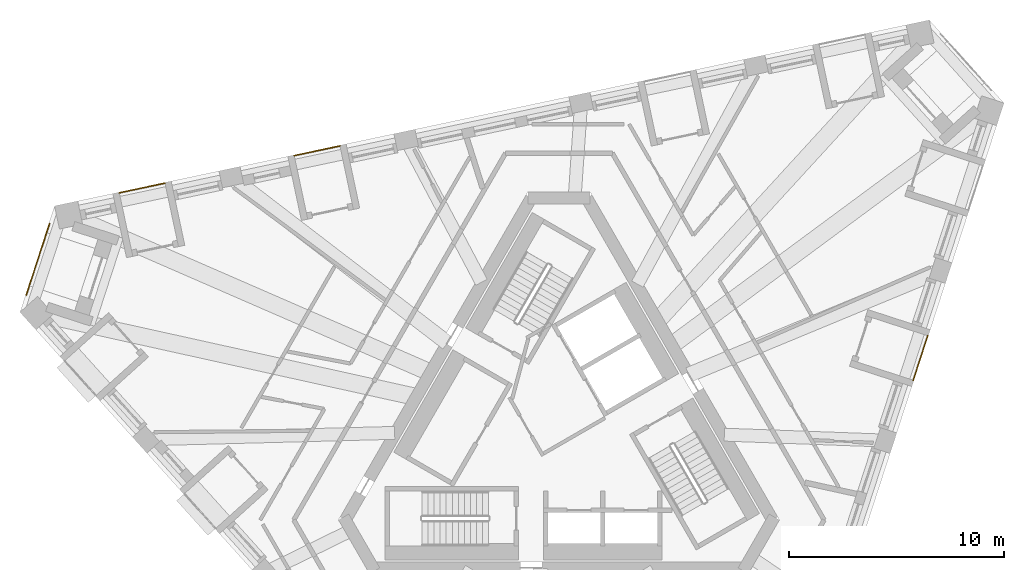
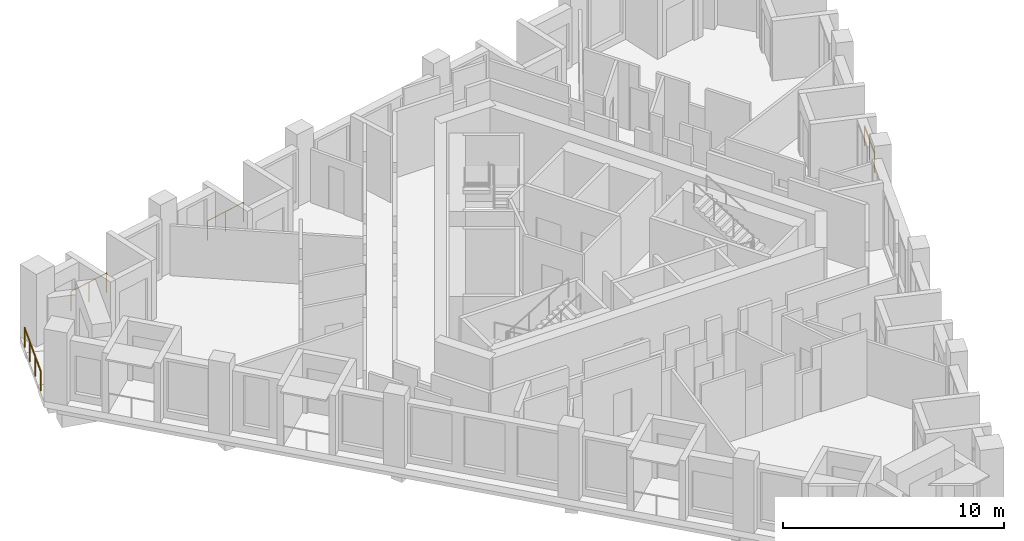
# One storey, part 12 of 13: 4 railings.
"""IFC4 building model written with IfcOpenShell, lengths in metres."""

import ifcopenshell
import ifcopenshell.guid

model = None  # the IFC model being written
_history = None  # IfcOwnerHistory: only IFC2X3 demands one
_inside = {}  # id of a spatial element -> (the spatial element, [elements in it])
_under = {}  # id of a project, library or spatial element -> (it, [spatial elements below it])
_declared = {}  # id of a project -> (the project, [libraries it declares])
_typed = {}  # id of a type object -> (the type object, [elements of that type])
_made_of = {}  # id of a material, layer set ... -> (it, [elements and type objects made of it])


def new_model(schema):
    """Start an empty IFC model of exactly this schema.

    Asked for "IFC4X3", IfcOpenShell would pick the latest addendum, in which some entities
    have other attributes; the version numbers below select the first issue.
    IFC2X3 requires an IfcOwnerHistory on every rooted entity: one is made here for all.
    """
    global model, _history
    if schema == "IFC4X3":
        model = ifcopenshell.file(schema_version=(4, 3, 0, 0))
    else:
        model = ifcopenshell.file(schema=schema)
    _inside.clear()
    _under.clear()
    _declared.clear()
    _typed.clear()
    _made_of.clear()
    _history = None
    if model.schema == "IFC2X3":
        org = make("IfcOrganization", Name="unknown")
        user = make(
            "IfcPersonAndOrganization",
            ThePerson=make("IfcPerson", FamilyName="unknown"),
            TheOrganization=org,
        )
        app = make(
            "IfcApplication",
            ApplicationDeveloper=org,
            Version="unknown",
            ApplicationFullName="unknown",
            ApplicationIdentifier="unknown",
        )
        _history = make(
            "IfcOwnerHistory",
            OwningUser=user,
            OwningApplication=app,
            ChangeAction="ADDED",
            CreationDate=0,
        )
    return model


def make(cls, **values):
    """One entity of the class cls with the attributes given. An attribute that is None is left unset."""
    return model.create_entity(
        cls, **{name: value for name, value in values.items() if value is not None}
    )


def rooted(cls, **values):
    """An entity with a GlobalId (a new one), such as an element, a storey or a relation."""
    return make(cls, GlobalId=ifcopenshell.guid.new(), OwnerHistory=_history, **values)


def si_unit(unit_type, name, prefix=None):
    """IfcSIUnit, for example si_unit("LENGTHUNIT", "METRE", prefix="MILLI")."""
    return make("IfcSIUnit", UnitType=unit_type, Prefix=prefix, Name=name)


def assignment(units):
    """IfcUnitAssignment: the units of a project."""
    return None if units is None else make("IfcUnitAssignment", Units=units)


def point(xyz):
    """IfcCartesianPoint."""
    return None if xyz is None else make("IfcCartesianPoint", Coordinates=xyz)


def direction(xyz):
    """IfcDirection."""
    return None if xyz is None else make("IfcDirection", DirectionRatios=xyz)


def frame(location, z_axis=None, x_axis=None):
    """IfcAxis2Placement3D, a coordinate frame: its origin and axes. An axis left out is left unset."""
    return make(
        "IfcAxis2Placement3D",
        Location=point(location),
        Axis=direction(z_axis),
        RefDirection=direction(x_axis),
    )


def frame_2d(location, x_axis=None):
    """IfcAxis2Placement2D, a coordinate frame in the plane: its origin and x axis."""
    return make(
        "IfcAxis2Placement2D", Location=point(location), RefDirection=direction(x_axis)
    )


def origin():
    """The frame at (0, 0, 0) with its axes left unset."""
    return frame((0.0, 0.0, 0.0))


def origin_2d():
    """The frame at (0, 0) in the plane with its x axis left unset."""
    return frame_2d((0.0, 0.0))


def place(relative_to, where):
    """IfcLocalPlacement: puts the frame where relative to a parent placement (None: the world)."""
    return make(
        "IfcLocalPlacement", PlacementRelTo=relative_to, RelativePlacement=where
    )


def context(
    kind, dimensions, precision=None, world=None, true_north=None, identifier=None
):
    """IfcGeometricRepresentationContext, for example the 3D "Model" context."""
    return make(
        "IfcGeometricRepresentationContext",
        ContextIdentifier=identifier,
        ContextType=kind,
        CoordinateSpaceDimension=dimensions,
        Precision=precision,
        WorldCoordinateSystem=world,
        TrueNorth=true_north,
    )


def subcontext(parent, identifier, kind, view, scale=None):
    """IfcGeometricRepresentationSubContext, for example "Body" below "Model"."""
    return make(
        "IfcGeometricRepresentationSubContext",
        ContextIdentifier=identifier,
        ContextType=kind,
        ParentContext=parent,
        TargetScale=scale,
        TargetView=view,
    )


def project(units=None, contexts=None):
    """IfcProject with its units and contexts."""
    return rooted(
        "IfcProject",
        Name="project",
        RepresentationContexts=contexts,
        UnitsInContext=assignment(units),
    )


def spatial(cls, under=None, at=None, **own):
    """A site, building, storey or space (cls), placed at a placement, below another one or the project."""
    s = rooted(cls, ObjectPlacement=at, **own)
    if under is not None:
        _under.setdefault(under.id(), (under, []))[1].append(s)
    return s


def profile(cls, at=None, kind="AREA", **sizes):
    """A parametric profile (cls). Its sizes go by their IFC names, for example OverallWidth=200.0."""
    return make(cls, ProfileType=kind, Position=at, **sizes)


def circle(**sizes):
    """IfcCircleProfileDef."""
    return profile("IfcCircleProfileDef", **sizes)


def extrude(swept, where, along, depth):
    """IfcExtrudedAreaSolid: the profile swept, set in the frame where, extruded along a direction by depth."""
    return make(
        "IfcExtrudedAreaSolid",
        SweptArea=swept,
        Position=where,
        ExtrudedDirection=direction(along),
        Depth=depth,
    )


def shape(context_of_items, identifier, shape_type, items):
    """IfcShapeRepresentation: the items that make up one representation, for example the "Body"."""
    return make(
        "IfcShapeRepresentation",
        ContextOfItems=context_of_items,
        RepresentationIdentifier=identifier,
        RepresentationType=shape_type,
        Items=items,
    )


def material(Name=None, Category=None):
    """IfcMaterial."""
    return make("IfcMaterial", Name=Name, Category=Category)


def made_of(thing, what):
    """Note that an element or type object is made of a material, layer set ...; save() writes the relation."""
    if what is not None:
        _made_of.setdefault(what.id(), (what, []))[1].append(thing)
    return thing


def type_object(cls, material=None, **own):
    """A type object (cls), such as IfcWallType, which elements share."""
    return made_of(rooted(cls, **own), material)


def element(
    cls,
    number,
    at=None,
    inside=None,
    cuts=None,
    type_object=None,
    material=None,
    context=None,
    identifier="Body",
    shape_type=None,
    held_by="IfcProductDefinitionShape",
    body=None,
    shapes=None,
    **own,
):
    """One element of the class cls, such as IfcWall. Its Tag is "e" and its number.

    at: its placement. inside: the storey or other place that contains it. cuts: it is an
    opening in that element (IfcRelVoidsElement). A single representation is given by context,
    identifier, shape_type and body (its items); several are given by shapes. held_by: the class
    of the entity that holds the representations. save() writes the other relations.
    """
    e = rooted(cls, Tag="e%d" % number, ObjectPlacement=at, **own)
    if body is not None:
        shapes = [shape(context, identifier, shape_type, body)]
    if shapes is not None:
        e.Representation = make(held_by, Representations=shapes)
    if inside is not None:
        _inside.setdefault(inside.id(), (inside, []))[1].append(e)
    if cuts is not None:
        rooted(
            "IfcRelVoidsElement", RelatingBuildingElement=cuts, RelatedOpeningElement=e
        )
    if type_object is not None:
        _typed.setdefault(type_object.id(), (type_object, []))[1].append(e)
    return made_of(e, material)


def aggregate(whole, parts):
    """IfcRelAggregates: a whole, such as a stair, and the parts it consists of."""
    return rooted("IfcRelAggregates", RelatingObject=whole, RelatedObjects=parts)


def save(model, path):
    """Write the relations noted so far, then the file.

    IfcRelAggregates (storeys below a building ...), IfcRelContainedInSpatialStructure (elements
    in a storey), IfcRelDefinesByType, IfcRelAssociatesMaterial and IfcRelDeclares: one each for
    every whole, place, type object, material and project.
    """
    for whole, parts in _under.values():
        aggregate(whole, parts)
    for where, things in _inside.values():
        rooted(
            "IfcRelContainedInSpatialStructure",
            RelatedElements=things,
            RelatingStructure=where,
        )
    for kind, things in _typed.values():
        rooted("IfcRelDefinesByType", RelatedObjects=things, RelatingType=kind)
    for what, things in _made_of.values():
        rooted("IfcRelAssociatesMaterial", RelatedObjects=things, RelatingMaterial=what)
    for by, libraries in _declared.values():
        rooted("IfcRelDeclares", RelatingContext=by, RelatedDefinitions=libraries)
    model.write(path)


model = new_model("IFC4")

# Units and contexts
model_context = context("Model", 3, precision=1e-05, world=origin(), true_north=direction((0.0, 1.0)))
body_context = subcontext(model_context, "Body", "Model", "MODEL_VIEW")
ifc_project = project(units=[si_unit("LENGTHUNIT", "METRE"), si_unit("AREAUNIT", "SQUARE_METRE"), si_unit("VOLUMEUNIT", "CUBIC_METRE"), si_unit("PLANEANGLEUNIT", "RADIAN"), si_unit("MASSUNIT", "GRAM", prefix="KILO")], contexts=[model_context])

# Site, building, storey
site_placement = place(None, origin())
site = spatial("IfcSite", under=ifc_project, at=site_placement, CompositionType="ELEMENT")
building_placement = place(site_placement, origin())
building = spatial("IfcBuilding", under=site, at=building_placement, Name="Tramontana Tower", CompositionType="ELEMENT")
storey_placement = place(building_placement, frame((0.0, 0.0, 324.39990234375)))
storey = spatial("IfcBuildingStorey", under=building, at=storey_placement, Name="L74", CompositionType="ELEMENT", Elevation=324.39990234375)

# Railings
ifc_material = material(Name="Laminated glass balustrade", Category="glass")
railing_type = type_object("IfcRailingType", Name="GD1 Loggia glass balustrade 1100", PredefinedType="BALUSTRADE", material=ifc_material)
railing_1_placement = place(storey_placement, frame((16.470947265625, 2.24853515625, 0.0)))
element("IfcRailing", 1, at=railing_1_placement, inside=storey, type_object=railing_type, Name="Loggia balustrade L74 G8S1.10", PredefinedType="BALUSTRADE", context=body_context, shape_type="SweptSolid", body=[
    extrude(circle(Radius=0.02392578125, at=origin_2d()), frame((0.0, 0.0, 1.076171875), z_axis=(0.308999623589, 0.95106216023, 0.0), x_axis=(-0.95106216023, 0.308999623589, 0.0)), (0.0, 0.0, 1.0), 2.171142578125),
    extrude(circle(Radius=0.02099609375, at=origin_2d()), origin(), (0.0, 0.0, 1.0), 1.052001953125),
    extrude(circle(Radius=0.02099609375, at=origin_2d()), frame((0.33544921875, 1.032470703125, 0.0)), (0.0, 0.0, 1.0), 1.052001953125),
    extrude(circle(Radius=0.02099609375, at=origin_2d()), frame((0.6708984375, 2.06494140625, 0.0)), (0.0, 0.0, 1.0), 1.052001953125),
])
railing_2_placement = place(storey_placement, frame((-10.1826171875, 13.14013671875, 0.0)))
element("IfcRailing", 2, at=railing_2_placement, inside=storey, type_object=railing_type, Name="Loggia balustrade L74 G8S2.10", PredefinedType="BALUSTRADE", context=body_context, shape_type="SweptSolid", body=[
    extrude(circle(Radius=0.02392578125, at=origin_2d()), frame((0.0, 0.0, 1.076171875), z_axis=(-0.978153135692, -0.207885649183, 0.0), x_axis=(0.207885649183, -0.978153135692, 0.0)), (0.0, 0.0, 1.0), 2.17138671875),
    extrude(circle(Radius=0.02099609375, at=origin_2d()), origin(), (0.0, 0.0, 1.0), 1.052001953125),
    extrude(circle(Radius=0.02099609375, at=origin_2d()), frame((-1.06201171875, -0.2255859375, 0.0)), (0.0, 0.0, 1.0), 1.052001953125),
    extrude(circle(Radius=0.02099609375, at=origin_2d()), frame((-2.1240234375, -0.451416015625, 0.0)), (0.0, 0.0, 1.0), 1.052001953125),
])
railing_3_placement = place(storey_placement, frame((-18.31494140625, 11.411376953125, 0.0)))
element("IfcRailing", 3, at=railing_3_placement, inside=storey, type_object=railing_type, Name="Loggia balustrade L74 G8S2.13", PredefinedType="BALUSTRADE", context=body_context, shape_type="SweptSolid", body=[
    extrude(circle(Radius=0.02392578125, at=origin_2d()), frame((0.0, 0.0, 1.076171875), z_axis=(-0.978148276005, -0.207908513891, 0.0), x_axis=(0.207908513891, -0.978148276005, 0.0)), (0.0, 0.0, 1.0), 2.171142578125),
    extrude(circle(Radius=0.02099609375, at=origin_2d()), origin(), (0.0, 0.0, 1.0), 1.052001953125),
    extrude(circle(Radius=0.02099609375, at=origin_2d()), frame((-1.06201171875, -0.2255859375, 0.0)), (0.0, 0.0, 1.0), 1.052001953125),
    extrude(circle(Radius=0.02099609375, at=origin_2d()), frame((-2.123779296875, -0.451416015625, 0.0)), (0.0, 0.0, 1.0), 1.052001953125),
])
railing_4_placement = place(storey_placement, frame((-24.76416015625, 6.206298828125, 0.0)))
element("IfcRailing", 4, at=railing_4_placement, inside=storey, type_object=railing_type, Name="Corner loggia balustrade L74 K80", PredefinedType="BALUSTRADE", context=body_context, shape_type="SweptSolid", body=[
    extrude(circle(Radius=0.02392578125, at=origin_2d()), frame((0.0, 0.0, 1.076171875), z_axis=(0.309019824916, 0.951055596592, 0.0), x_axis=(-0.951055596592, 0.309019824916, 0.0)), (0.0, 0.0, 1.0), 3.5),
    extrude(circle(Radius=0.02099609375, at=origin_2d()), origin(), (0.0, 0.0, 1.0), 1.052001953125),
    extrude(circle(Radius=0.02099609375, at=origin_2d()), frame((0.360595703125, 1.109619140625, 0.0)), (0.0, 0.0, 1.0), 1.052001953125),
    extrude(circle(Radius=0.02099609375, at=origin_2d()), frame((0.720947265625, 2.218994140625, 0.0)), (0.0, 0.0, 1.0), 1.052001953125),
    extrude(circle(Radius=0.02099609375, at=origin_2d()), frame((1.08154296875, 3.32861328125, 0.0)), (0.0, 0.0, 1.0), 1.052001953125),
])

save(model, "model.ifc")
